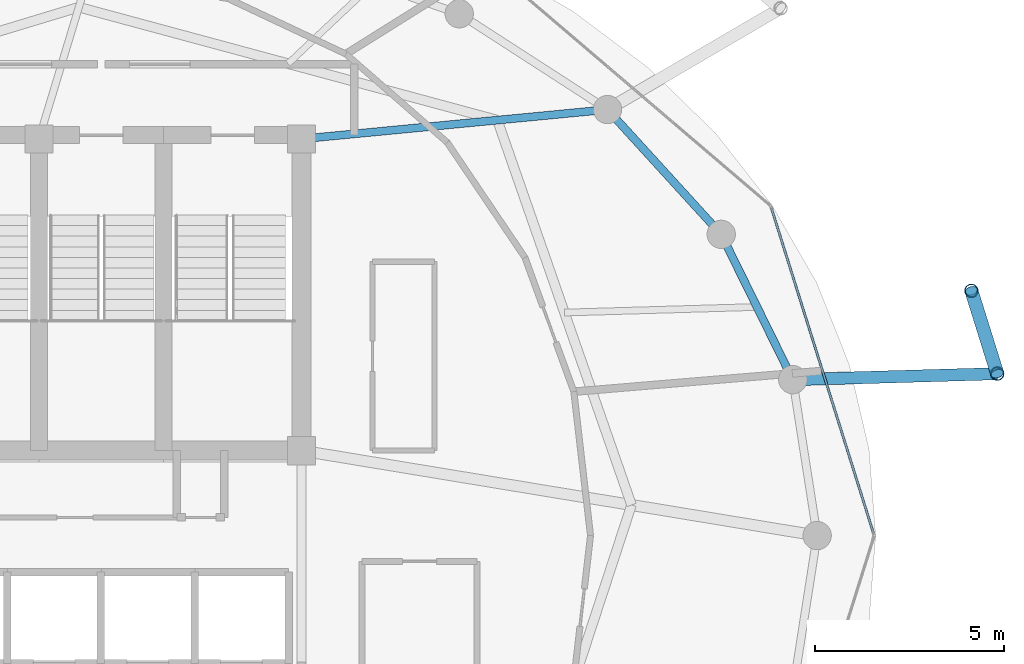
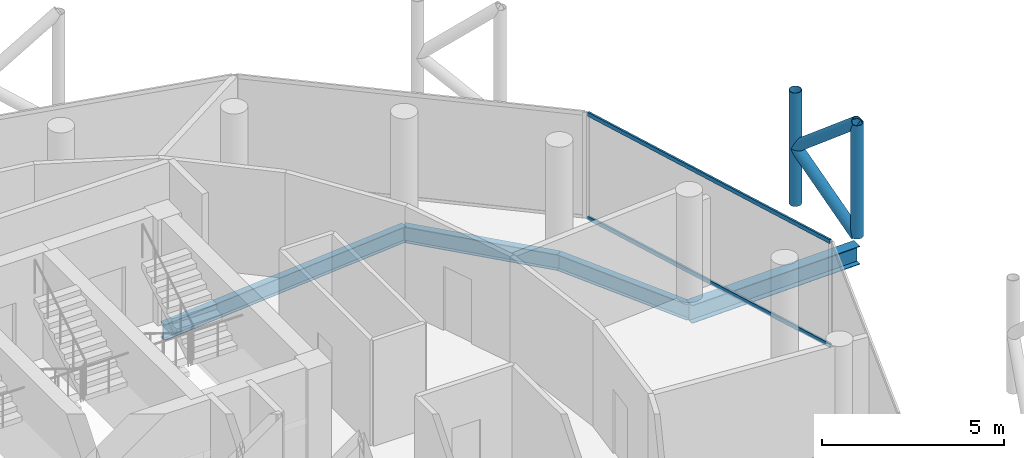
# One storey, part 13 of 24: 6 members, 4 beams, 1 element without a shape of its own.
"""IFC4 building model written with IfcOpenShell, lengths in metres."""

from ifc_helpers import new_model, si_unit, direction, frame, origin, origin_2d, place, context, subcontext, project, spatial, hollow_rectangle, hollow_circle, i_section, extrude, material, layer, layer_set, material_profile, profile_set, type_object, element, aggregate, save


model = new_model("IFC4")

# Units and contexts
model_context = context("Model", 3, precision=1e-05, world=origin(), true_north=direction((0.0, 1.0)))
body_context = subcontext(model_context, "Body", "Model", "MODEL_VIEW")
ifc_project = project(units=[si_unit("LENGTHUNIT", "METRE"), si_unit("AREAUNIT", "SQUARE_METRE"), si_unit("VOLUMEUNIT", "CUBIC_METRE"), si_unit("PLANEANGLEUNIT", "RADIAN"), si_unit("MASSUNIT", "GRAM", prefix="KILO")], contexts=[model_context])

# Site, building, storey
site_placement = place(None, origin())
site = spatial("IfcSite", under=ifc_project, at=site_placement, CompositionType="ELEMENT")
building_placement = place(site_placement, origin())
building = spatial("IfcBuilding", under=site, at=building_placement, Name="Nuhasar Tower", CompositionType="ELEMENT")
storey_placement = place(building_placement, frame((0.0, 0.0, 286.0)))
storey = spatial("IfcBuildingStorey", under=building, at=storey_placement, Name="L71", CompositionType="ELEMENT", Elevation=286.0)

# Beams
ifc_material_1 = material(Name="Steel S355", Category="steel")
ifc_material_profile_1 = material_profile(ifc_material_1, i_section(OverallWidth=0.208984375, OverallDepth=0.528076171875, WebThickness=0.009521484375, FlangeThickness=0.01318359375, at=origin_2d()), Name="W21X55")
ifc_profile_set_1 = profile_set([ifc_material_profile_1], Name="Steel S355")
beam_type_1 = type_object("IfcBeamType", Name="BM-RAD-W21X55", PredefinedType="BEAM", material=ifc_profile_set_1)
beam_1_placement = place(storey_placement, frame((44.300048828125, 37.300048828125, -0.52392578125), z_axis=(0.99542073054, 0.095590633496, 0.0), x_axis=(-0.095590633496, 0.99542073054, 0.0)))
element("IfcBeam", 1, at=beam_1_placement, inside=storey, type_object=beam_type_1, Name="L71 Radial Floor Girder 05", PredefinedType="BEAM", context=body_context, shape_type="SweptSolid", body=[
    extrude(i_section(OverallWidth=0.208984375, OverallDepth=0.528076171875, WebThickness=0.009521484375, FlangeThickness=0.01318359375, at=origin_2d()), origin(), (0.0, 0.0, 1.0), 8.13720703125),
])
ifc_material_profile_2 = material_profile(ifc_material_1, i_section(OverallWidth=0.2099609375, OverallDepth=0.537109375, WebThickness=0.010986328125, FlangeThickness=0.017333984375, at=origin_2d()), Name="W21X68")
ifc_profile_set_2 = profile_set([ifc_material_profile_2], Name="Steel S355")
beam_type_2 = type_object("IfcBeamType", Name="BM-RING-W21X68", PredefinedType="SPANDREL", material=ifc_profile_set_2)
beam_2_placement = place(storey_placement, frame((57.303955078125, 30.927978515625, -0.529052734375), z_axis=(-0.441533119295, 0.897244952377, 0.0), x_axis=(-0.897244952377, -0.441533119295, 0.0)))
element("IfcBeam", 2, at=beam_2_placement, inside=storey, type_object=beam_type_2, Name="L71 Perimeter Ring Spandrel 02", PredefinedType="SPANDREL", context=body_context, shape_type="SweptSolid", body=[
    extrude(i_section(OverallWidth=0.2099609375, OverallDepth=0.537109375, WebThickness=0.010986328125, FlangeThickness=0.017333984375, at=origin_2d()), origin(), (0.0, 0.0, 1.0), 4.28759765625),
])
beam_3_placement = place(storey_placement, frame((55.410888671875, 34.77490234375, -0.529052734375), z_axis=(-0.673686302939, 0.739017432293, 0.0), x_axis=(-0.739017432293, -0.673686302939, 0.0)))
element("IfcBeam", 3, at=beam_3_placement, inside=storey, type_object=beam_type_2, Name="L71 Perimeter Ring Spandrel 03", PredefinedType="SPANDREL", context=body_context, shape_type="SweptSolid", body=[
    extrude(i_section(OverallWidth=0.2099609375, OverallDepth=0.537109375, WebThickness=0.010986328125, FlangeThickness=0.017333984375, at=origin_2d()), origin(), (0.0, 0.0, 1.0), 4.469482421875),
])
ifc_material_profile_3 = material_profile(ifc_material_1, i_section(OverallWidth=0.323974609375, OverallDepth=0.611083984375, WebThickness=0.0126953125, FlangeThickness=0.01904296875, at=origin_2d()), Name="W24X104")
ifc_profile_set_3 = profile_set([ifc_material_profile_3], Name="Steel S355")
beam_type_3 = type_object("IfcBeamType", Name="BM-TIE-W24X104", PredefinedType="BEAM", material=ifc_profile_set_3)
beam_4_placement = place(storey_placement, frame((57.303955078125, 30.927978515625, -0.56494140625), z_axis=(0.999574661214, 0.029163275875, 0.0), x_axis=(-0.029163275875, 0.999574661214, 0.0)))
element("IfcBeam", 4, at=beam_4_placement, inside=storey, type_object=beam_type_3, Name="L71 Exoskeleton Node Tie Beam 01", PredefinedType="BEAM", context=body_context, shape_type="SweptSolid", body=[
    extrude(i_section(OverallWidth=0.323974609375, OverallDepth=0.611083984375, WebThickness=0.0126953125, FlangeThickness=0.01904296875, at=origin_2d()), origin(), (0.0, 0.0, 1.0), 5.416259765625),
])

# Curtain wall, members
ifc_material_2 = material(Name="Aluminium 6063-T6", Category="aluminium")
ifc_layer = layer(ifc_material_2, 0.18994140625)
ifc_layer_set = layer_set([ifc_layer], Name="Aluminium 6063-T6")
curtain_wall_type = type_object("IfcCurtainWallType", Name="CW-Z4-PEN", PredefinedType="NOTDEFINED", material=ifc_layer_set)
curtain_wall_placement = place(storey_placement, origin())
curtain_wall = element("IfcCurtainWall", 5, at=curtain_wall_placement, inside=storey, type_object=curtain_wall_type, Name="L71 Unitised Curtain Wall 01", PredefinedType="NOTDEFINED")
ifc_material_profile_4 = material_profile(ifc_material_2, hollow_rectangle(XDim=0.06005859375, YDim=0.135009765625, WallThickness=0.00439453125, at=origin_2d()), Name="CWT-5")
ifc_profile_set_4 = profile_set([ifc_material_profile_4], Name="Aluminium 6063-T6")
member_type_1 = type_object("IfcMemberType", Name="CW-TRN-S5", PredefinedType="USERDEFINED", material=ifc_profile_set_4)
member_1_placement = place(storey_placement, frame((59.442138671875, 26.857177734375, 0.030029296875), z_axis=(-0.29956014073, 0.954077419335, 0.0), x_axis=(-0.954077419335, -0.29956014073, 0.0)))
member_1 = element("IfcMember", 6, at=member_1_placement, type_object=member_type_1, Name="CW-Z4 transom 1.1", ObjectType="TRANSOM", PredefinedType="USERDEFINED", context=body_context, shape_type="SweptSolid", body=[
    extrude(hollow_rectangle(XDim=0.06005859375, YDim=0.135009765625, WallThickness=0.00439453125, at=origin_2d()), origin(), (0.0, 0.0, 1.0), 9.0302734375),
])
member_2_placement = place(storey_placement, frame((59.442138671875, 26.857177734375, 3.510009765625), z_axis=(-0.29956014073, 0.954077419335, 0.0), x_axis=(-0.954077419335, -0.29956014073, 0.0)))
member_2 = element("IfcMember", 7, at=member_2_placement, type_object=member_type_1, Name="CW-Z4 transom 1.2", ObjectType="TRANSOM", PredefinedType="USERDEFINED", context=body_context, shape_type="SweptSolid", body=[
    extrude(hollow_rectangle(XDim=0.06005859375, YDim=0.135009765625, WallThickness=0.00439453125, at=origin_2d()), origin(), (0.0, 0.0, 1.0), 9.0302734375),
])
aggregate(curtain_wall, [member_1, member_2])

# Members
ifc_material_3 = material(Name="Steel S460", Category="steel")
ifc_material_profile_5 = material_profile(ifc_material_3, hollow_circle(Radius=0.177734375, WallThickness=0.015869140625, at=origin_2d()), Name="HSS355.6X15.9")
ifc_profile_set_5 = profile_set([ifc_material_profile_5], Name="Steel S460")
member_type_2 = type_object("IfcMemberType", Name="EXO-BRONZE-356", PredefinedType="BRACE", material=ifc_profile_set_5)
for number, where, z_axis, x_axis, name in (
    (8, (62.718017578125, 31.0859375, 0.0), (0.0, 0.0, 1.0), (1.0, 0.0, 0.0), "L71 Exoskeleton Chord Column EC-01A"),
    (9, (62.032958984375, 33.281005859375, 0.0), (0.0, 0.0, 1.0), (1.0, 0.0, 0.0), "L71 Exoskeleton Chord Column EC-01B"),
):
    element("IfcMember", number, at=place(storey_placement, frame(where, z_axis=z_axis, x_axis=x_axis)), inside=storey, type_object=member_type_2, Name=name, PredefinedType="BRACE", context=body_context, shape_type="SweptSolid", body=[
        extrude(hollow_circle(Radius=0.177734375, WallThickness=0.015869140625, at=origin_2d()), origin(), (0.0, 0.0, 1.0), 3.800048828125),
    ])
for number, where, z_axis, x_axis, name in (
    (10, (62.718017578125, 31.0859375, 0.0), (-0.229667527485, 0.735901902929, 0.636946792192), (-0.954591372974, -0.297918295247, 0.0), "L71 Bronze Diagrid Brace W1-01"),
    (11, (62.032958984375, 33.281005859375, 1.89990234375), (0.22965555433, -0.735863538482, 0.636995430987), (0.954591372974, 0.297918295247, 0.0), "L71 Bronze Diagrid Brace W2-01"),
):
    element("IfcMember", number, at=place(storey_placement, frame(where, z_axis=z_axis, x_axis=x_axis)), inside=storey, type_object=member_type_2, Name=name, PredefinedType="BRACE", context=body_context, shape_type="SweptSolid", body=[
        extrude(hollow_circle(Radius=0.177734375, WallThickness=0.015869140625, at=origin_2d()), origin(), (0.0, 0.0, 1.0), 2.98291015625),
    ])

save(model, "model.ifc")
